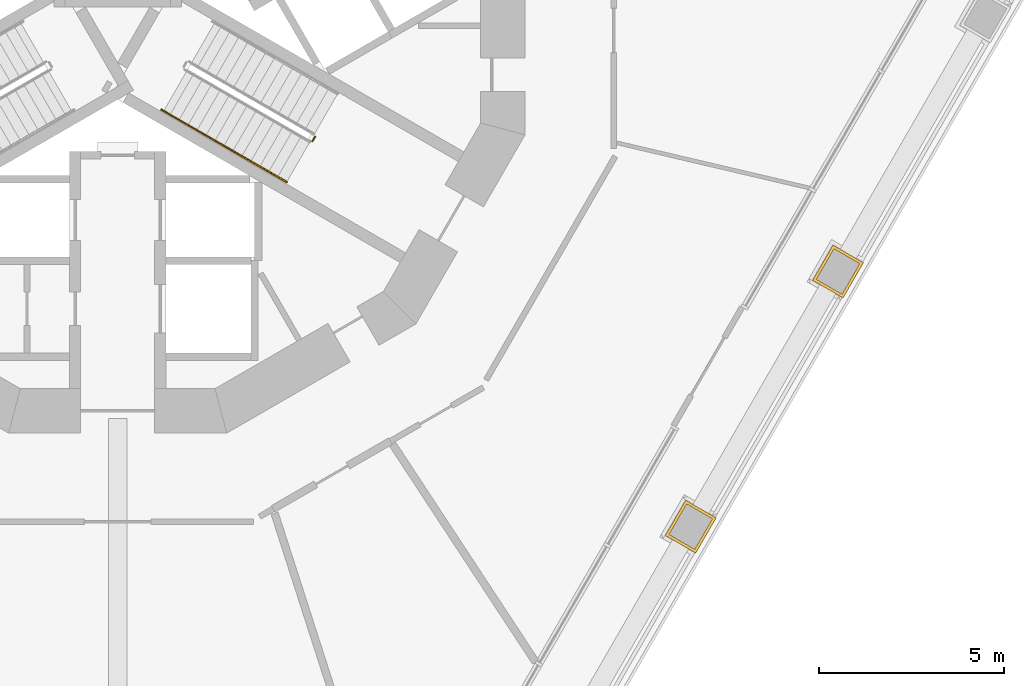
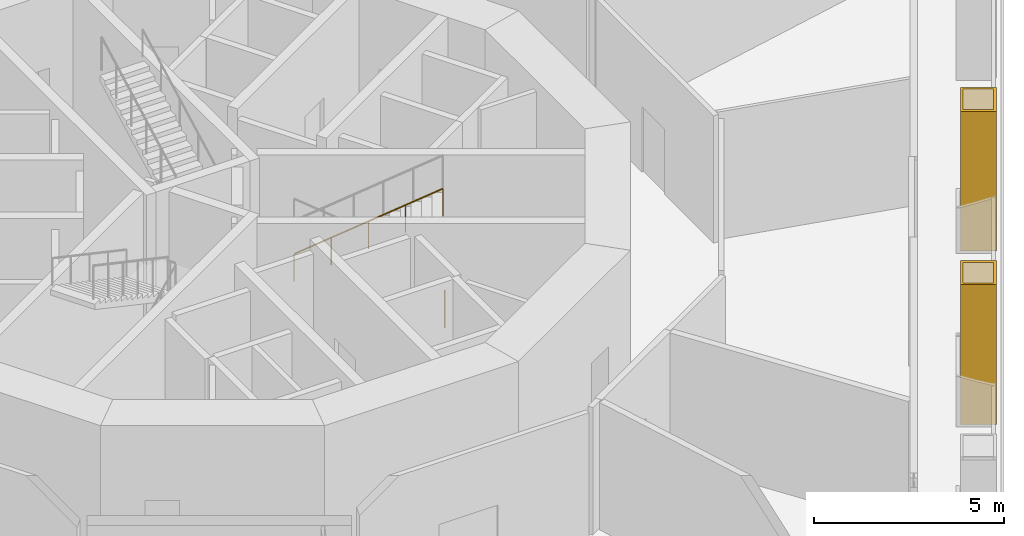
# One storey, part 19 of 23: 3 railings, 2 coverings.
"""IFC4 building model written with IfcOpenShell, lengths in metres."""

from ifc_helpers import new_model, si_unit, direction, frame, origin, origin_2d, place, context, subcontext, project, spatial, polyline, circle, outline, extrude, material, layer, layer_set, type_object, element, save


model = new_model("IFC4")

# Units and contexts
model_context = context("Model", 3, precision=1e-05, world=origin(), true_north=direction((0.0, 1.0)))
body_context = subcontext(model_context, "Body", "Model", "MODEL_VIEW")
ifc_project = project(units=[si_unit("LENGTHUNIT", "METRE"), si_unit("AREAUNIT", "SQUARE_METRE"), si_unit("VOLUMEUNIT", "CUBIC_METRE"), si_unit("PLANEANGLEUNIT", "RADIAN"), si_unit("MASSUNIT", "GRAM", prefix="KILO")], contexts=[model_context])

# Site, building, storey
site_placement = place(None, origin())
site = spatial("IfcSite", under=ifc_project, at=site_placement, CompositionType="ELEMENT")
building_placement = place(site_placement, origin())
building = spatial("IfcBuilding", under=site, at=building_placement, Name="Trine Commons Tower", CompositionType="ELEMENT")
storey_placement = place(building_placement, frame((0.0, 0.0, 18.0)))
storey = spatial("IfcBuildingStorey", under=building, at=storey_placement, Name="L03", CompositionType="ELEMENT", Elevation=18.0)

# Coverings
ifc_material_1 = material(Name="Limestone, honed", Category="masonry")
ifc_layer = layer(ifc_material_1, 0.074951171875)
ifc_layer_set = layer_set([ifc_layer], Name="Limestone, honed")
covering_type = type_object("IfcCoveringType", Name="Limestone column cladding 75", PredefinedType="CLADDING", material=ifc_layer_set)
covering_1_placement = place(storey_placement, origin())
element("IfcCovering", 1, at=covering_1_placement, inside=storey, type_object=covering_type, Name="Limestone pier cladding 1-20", PredefinedType="CLADDING", context=body_context, shape_type="SweptSolid", body=[
    extrude(outline(polyline([(100.15771484375, 56.0947265625), (99.334716796875, 56.569580078125), (98.784912109375, 55.6171875), (99.607666015625, 55.14208984375), (100.15771484375, 56.0947265625)]), holes=[polyline([(100.05517578125, 56.0673828125), (99.3623046875, 56.46728515625), (98.88720703125, 55.64453125), (99.580078125, 55.244384765625), (100.05517578125, 56.0673828125)])]), origin(), (0.0, 0.0, 1.0), 4.5),
])
covering_2_placement = place(storey_placement, origin())
element("IfcCovering", 2, at=covering_2_placement, inside=storey, type_object=covering_type, Name="Limestone pier cladding 1-21", PredefinedType="CLADDING", context=body_context, shape_type="SweptSolid", body=[
    extrude(outline(polyline([(96.17578125, 49.1982421875), (95.35302734375, 49.67333984375), (94.802978515625, 48.720703125), (95.6259765625, 48.24560546875), (96.17578125, 49.1982421875)]), holes=[polyline([(96.073486328125, 49.1708984375), (95.380615234375, 49.57080078125), (94.905517578125, 48.748046875), (95.598388671875, 48.34814453125), (96.073486328125, 49.1708984375)])]), origin(), (0.0, 0.0, 1.0), 4.5),
])

# Railings
ifc_material_2 = material(Name="Stainless steel balustrade", Category="steel")
railing_type_1 = type_object("IfcRailingType", Name="Stair guard, steel balustrade 1100", PredefinedType="GUARDRAIL", material=ifc_material_2)
railing_1_placement = place(storey_placement, frame((85.338134765625, 59.504638671875, 0.0)))
element("IfcRailing", 3, at=railing_1_placement, inside=storey, type_object=railing_type_1, Name="L03 ST3A stair guard 4", PredefinedType="GUARDRAIL", context=body_context, shape_type="SweptSolid", body=[
    extrude(circle(Radius=0.02392578125, at=origin_2d()), frame((0.0, 0.0, 1.076171875), z_axis=(-0.499816412211, -0.866131372301, 0.0), x_axis=(0.866131372301, -0.499816412211, 0.0)), (0.0, 0.0, 1.0), 0.14990234375),
    extrude(circle(Radius=0.02099609375, at=origin_2d()), origin(), (0.0, 0.0, 1.0), 1.052001953125),
    extrude(circle(Radius=0.02099609375, at=origin_2d()), frame((-0.074951171875, -0.1298828125, 0.0)), (0.0, 0.0, 1.0), 1.052001953125),
])
ifc_material_3 = material(Name="Stainless steel handrail", Category="steel")
railing_type_2 = type_object("IfcRailingType", Name="Stair handrail, steel 900", PredefinedType="HANDRAIL", material=ifc_material_3)
railing_2_placement = place(storey_placement, frame((81.175048828125, 60.23388671875, 2.39990234375)))
element("IfcRailing", 4, at=railing_2_placement, inside=storey, type_object=railing_type_2, Name="L03 ST3A stair handrail 3", PredefinedType="HANDRAIL", context=body_context, shape_type="SweptSolid", body=[
    extrude(circle(Radius=0.02099609375, at=origin_2d()), frame((0.0, 0.0, 0.87890625), z_axis=(0.763352030933, -0.440750151347, 0.472263677365), x_axis=(0.500024377727, 0.866011328839, 0.0)), (0.0, 0.0, 1.0), 2.223388671875),
    extrude(circle(Radius=0.01513671875, at=origin_2d()), origin(), (0.0, 0.0, 1.0), 0.85791015625),
    extrude(circle(Radius=0.01513671875, at=origin_2d()), frame((0.8486328125, -0.489990234375, 0.52490234375)), (0.0, 0.0, 1.0), 0.85791015625),
    extrude(circle(Radius=0.01513671875, at=origin_2d()), frame((1.697265625, -0.97998046875, 1.050048828125)), (0.0, 0.0, 1.0), 0.85791015625),
])
railing_3_placement = place(storey_placement, frame((82.872314453125, 59.25390625, 3.449951171875)))
element("IfcRailing", 5, at=railing_3_placement, inside=storey, type_object=railing_type_2, Name="L03 ST3A stair handrail 4", PredefinedType="HANDRAIL", context=body_context, shape_type="SweptSolid", body=[
    extrude(circle(Radius=0.02099609375, at=origin_2d()), frame((0.0, 0.0, 0.87890625), z_axis=(0.763397845365, -0.440713210311, 0.472224095054), x_axis=(0.499970440388, 0.866042469362, 0.0)), (0.0, 0.0, 1.0), 2.2236328125),
    extrude(circle(Radius=0.01513671875, at=origin_2d()), origin(), (0.0, 0.0, 1.0), 0.85791015625),
    extrude(circle(Radius=0.01513671875, at=origin_2d()), frame((0.8486328125, -0.489990234375, 0.52490234375)), (0.0, 0.0, 1.0), 0.85791015625),
    extrude(circle(Radius=0.01513671875, at=origin_2d()), frame((1.697509765625, -0.97998046875, 1.050048828125)), (0.0, 0.0, 1.0), 0.85791015625),
])

save(model, "model.ifc")
